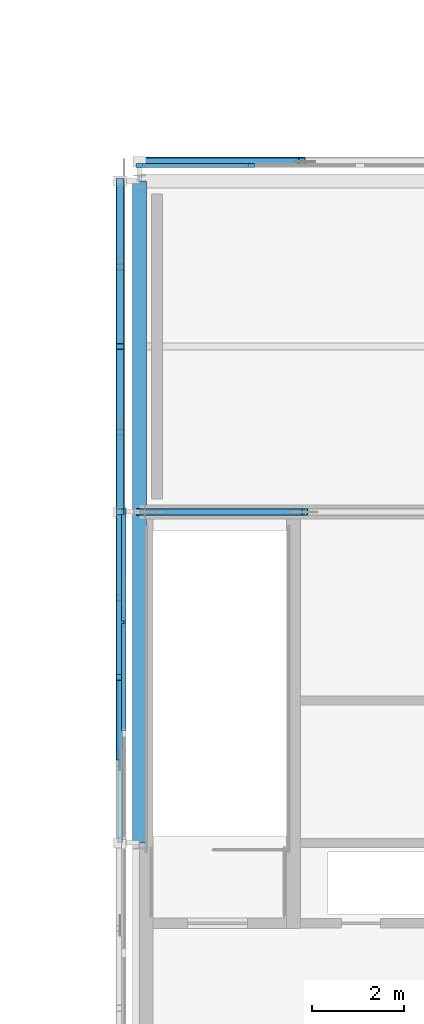
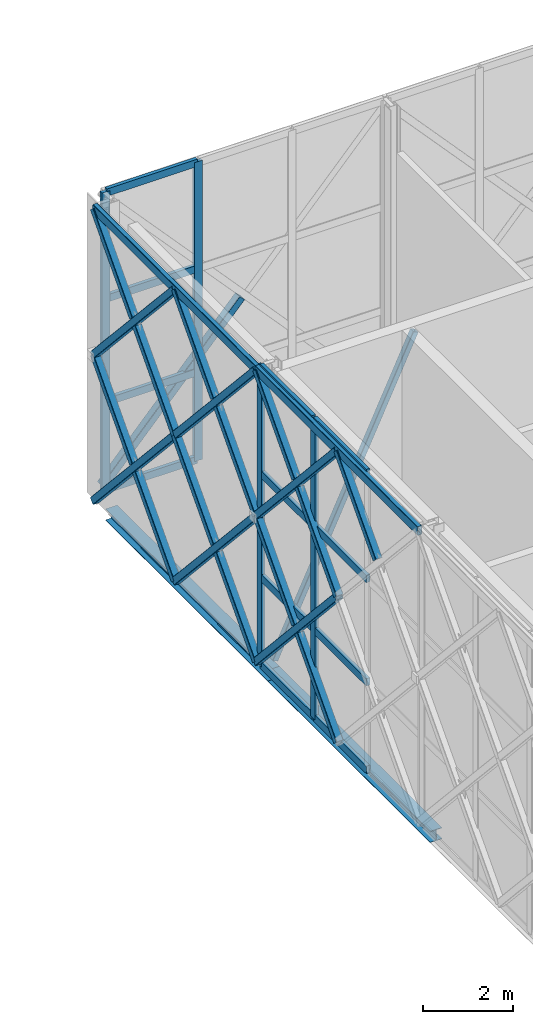
# One storey, part 9 of 76: 39 members, 2 beams, 2 elements without a shape of their own.
"""IFC4 building model written with IfcOpenShell, lengths in metres."""

import ifcopenshell
import ifcopenshell.guid

model = None  # the IFC model being written
_history = None  # IfcOwnerHistory: only IFC2X3 demands one
_inside = {}  # id of a spatial element -> (the spatial element, [elements in it])
_under = {}  # id of a project, library or spatial element -> (it, [spatial elements below it])
_declared = {}  # id of a project -> (the project, [libraries it declares])
_typed = {}  # id of a type object -> (the type object, [elements of that type])
_made_of = {}  # id of a material, layer set ... -> (it, [elements and type objects made of it])


def new_model(schema):
    """Start an empty IFC model of exactly this schema.

    Asked for "IFC4X3", IfcOpenShell would pick the latest addendum, in which some entities
    have other attributes; the version numbers below select the first issue.
    IFC2X3 requires an IfcOwnerHistory on every rooted entity: one is made here for all.
    """
    global model, _history
    if schema == "IFC4X3":
        model = ifcopenshell.file(schema_version=(4, 3, 0, 0))
    else:
        model = ifcopenshell.file(schema=schema)
    _inside.clear()
    _under.clear()
    _declared.clear()
    _typed.clear()
    _made_of.clear()
    _history = None
    if model.schema == "IFC2X3":
        org = make("IfcOrganization", Name="unknown")
        user = make(
            "IfcPersonAndOrganization",
            ThePerson=make("IfcPerson", FamilyName="unknown"),
            TheOrganization=org,
        )
        app = make(
            "IfcApplication",
            ApplicationDeveloper=org,
            Version="unknown",
            ApplicationFullName="unknown",
            ApplicationIdentifier="unknown",
        )
        _history = make(
            "IfcOwnerHistory",
            OwningUser=user,
            OwningApplication=app,
            ChangeAction="ADDED",
            CreationDate=0,
        )
    return model


def make(cls, **values):
    """One entity of the class cls with the attributes given. An attribute that is None is left unset."""
    return model.create_entity(
        cls, **{name: value for name, value in values.items() if value is not None}
    )


def rooted(cls, **values):
    """An entity with a GlobalId (a new one), such as an element, a storey or a relation."""
    return make(cls, GlobalId=ifcopenshell.guid.new(), OwnerHistory=_history, **values)


def si_unit(unit_type, name, prefix=None):
    """IfcSIUnit, for example si_unit("LENGTHUNIT", "METRE", prefix="MILLI")."""
    return make("IfcSIUnit", UnitType=unit_type, Prefix=prefix, Name=name)


def assignment(units):
    """IfcUnitAssignment: the units of a project."""
    return None if units is None else make("IfcUnitAssignment", Units=units)


def point(xyz):
    """IfcCartesianPoint."""
    return None if xyz is None else make("IfcCartesianPoint", Coordinates=xyz)


def direction(xyz):
    """IfcDirection."""
    return None if xyz is None else make("IfcDirection", DirectionRatios=xyz)


def frame(location, z_axis=None, x_axis=None):
    """IfcAxis2Placement3D, a coordinate frame: its origin and axes. An axis left out is left unset."""
    return make(
        "IfcAxis2Placement3D",
        Location=point(location),
        Axis=direction(z_axis),
        RefDirection=direction(x_axis),
    )


def frame_2d(location, x_axis=None):
    """IfcAxis2Placement2D, a coordinate frame in the plane: its origin and x axis."""
    return make(
        "IfcAxis2Placement2D", Location=point(location), RefDirection=direction(x_axis)
    )


def origin():
    """The frame at (0, 0, 0) with its axes left unset."""
    return frame((0.0, 0.0, 0.0))


def origin_2d():
    """The frame at (0, 0) in the plane with its x axis left unset."""
    return frame_2d((0.0, 0.0))


def place(relative_to, where):
    """IfcLocalPlacement: puts the frame where relative to a parent placement (None: the world)."""
    return make(
        "IfcLocalPlacement", PlacementRelTo=relative_to, RelativePlacement=where
    )


def context(
    kind, dimensions, precision=None, world=None, true_north=None, identifier=None
):
    """IfcGeometricRepresentationContext, for example the 3D "Model" context."""
    return make(
        "IfcGeometricRepresentationContext",
        ContextIdentifier=identifier,
        ContextType=kind,
        CoordinateSpaceDimension=dimensions,
        Precision=precision,
        WorldCoordinateSystem=world,
        TrueNorth=true_north,
    )


def subcontext(parent, identifier, kind, view, scale=None):
    """IfcGeometricRepresentationSubContext, for example "Body" below "Model"."""
    return make(
        "IfcGeometricRepresentationSubContext",
        ContextIdentifier=identifier,
        ContextType=kind,
        ParentContext=parent,
        TargetScale=scale,
        TargetView=view,
    )


def project(units=None, contexts=None):
    """IfcProject with its units and contexts."""
    return rooted(
        "IfcProject",
        Name="project",
        RepresentationContexts=contexts,
        UnitsInContext=assignment(units),
    )


def spatial(cls, under=None, at=None, **own):
    """A site, building, storey or space (cls), placed at a placement, below another one or the project."""
    s = rooted(cls, ObjectPlacement=at, **own)
    if under is not None:
        _under.setdefault(under.id(), (under, []))[1].append(s)
    return s


def profile(cls, at=None, kind="AREA", **sizes):
    """A parametric profile (cls). Its sizes go by their IFC names, for example OverallWidth=200.0."""
    return make(cls, ProfileType=kind, Position=at, **sizes)


def rectangle(**sizes):
    """IfcRectangleProfileDef."""
    return profile("IfcRectangleProfileDef", **sizes)


def hollow_rectangle(**sizes):
    """IfcRectangleHollowProfileDef."""
    return profile("IfcRectangleHollowProfileDef", **sizes)


def i_section(**sizes):
    """IfcIShapeProfileDef."""
    return profile("IfcIShapeProfileDef", **sizes)


def extrude(swept, where, along, depth):
    """IfcExtrudedAreaSolid: the profile swept, set in the frame where, extruded along a direction by depth."""
    return make(
        "IfcExtrudedAreaSolid",
        SweptArea=swept,
        Position=where,
        ExtrudedDirection=direction(along),
        Depth=depth,
    )


def shape(context_of_items, identifier, shape_type, items):
    """IfcShapeRepresentation: the items that make up one representation, for example the "Body"."""
    return make(
        "IfcShapeRepresentation",
        ContextOfItems=context_of_items,
        RepresentationIdentifier=identifier,
        RepresentationType=shape_type,
        Items=items,
    )


def material(Name=None, Category=None):
    """IfcMaterial."""
    return make("IfcMaterial", Name=Name, Category=Category)


def material_profile(
    of_material, cross_section, Name=None, Category=None, Priority=None
):
    """IfcMaterialProfile: a cross section and its material."""
    return make(
        "IfcMaterialProfile",
        Name=Name,
        Material=of_material,
        Profile=cross_section,
        Priority=Priority,
        Category=Category,
    )


def profile_set(profiles, Name=None, composite=None):
    """IfcMaterialProfileSet."""
    return make(
        "IfcMaterialProfileSet",
        Name=Name,
        MaterialProfiles=profiles,
        CompositeProfile=composite,
    )


def made_of(thing, what):
    """Note that an element or type object is made of a material, layer set ...; save() writes the relation."""
    if what is not None:
        _made_of.setdefault(what.id(), (what, []))[1].append(thing)
    return thing


def type_object(cls, material=None, **own):
    """A type object (cls), such as IfcWallType, which elements share."""
    return made_of(rooted(cls, **own), material)


def element(
    cls,
    number,
    at=None,
    inside=None,
    cuts=None,
    type_object=None,
    material=None,
    context=None,
    identifier="Body",
    shape_type=None,
    held_by="IfcProductDefinitionShape",
    body=None,
    shapes=None,
    **own,
):
    """One element of the class cls, such as IfcWall. Its Tag is "e" and its number.

    at: its placement. inside: the storey or other place that contains it. cuts: it is an
    opening in that element (IfcRelVoidsElement). A single representation is given by context,
    identifier, shape_type and body (its items); several are given by shapes. held_by: the class
    of the entity that holds the representations. save() writes the other relations.
    """
    e = rooted(cls, Tag="e%d" % number, ObjectPlacement=at, **own)
    if body is not None:
        shapes = [shape(context, identifier, shape_type, body)]
    if shapes is not None:
        e.Representation = make(held_by, Representations=shapes)
    if inside is not None:
        _inside.setdefault(inside.id(), (inside, []))[1].append(e)
    if cuts is not None:
        rooted(
            "IfcRelVoidsElement", RelatingBuildingElement=cuts, RelatedOpeningElement=e
        )
    if type_object is not None:
        _typed.setdefault(type_object.id(), (type_object, []))[1].append(e)
    return made_of(e, material)


def aggregate(whole, parts):
    """IfcRelAggregates: a whole, such as a stair, and the parts it consists of."""
    return rooted("IfcRelAggregates", RelatingObject=whole, RelatedObjects=parts)


def save(model, path):
    """Write the relations noted so far, then the file.

    IfcRelAggregates (storeys below a building ...), IfcRelContainedInSpatialStructure (elements
    in a storey), IfcRelDefinesByType, IfcRelAssociatesMaterial and IfcRelDeclares: one each for
    every whole, place, type object, material and project.
    """
    for whole, parts in _under.values():
        aggregate(whole, parts)
    for where, things in _inside.values():
        rooted(
            "IfcRelContainedInSpatialStructure",
            RelatedElements=things,
            RelatingStructure=where,
        )
    for kind, things in _typed.values():
        rooted("IfcRelDefinesByType", RelatedObjects=things, RelatingType=kind)
    for what, things in _made_of.values():
        rooted("IfcRelAssociatesMaterial", RelatedObjects=things, RelatingMaterial=what)
    for by, libraries in _declared.values():
        rooted("IfcRelDeclares", RelatingContext=by, RelatedDefinitions=libraries)
    model.write(path)


model = new_model("IFC4")

# Units and contexts
model_context = context("Model", 3, precision=1e-05, world=origin(), true_north=direction((0.0, 1.0)))
body_context = subcontext(model_context, "Body", "Model", "MODEL_VIEW")
ifc_project = project(units=[si_unit("LENGTHUNIT", "METRE"), si_unit("AREAUNIT", "SQUARE_METRE"), si_unit("VOLUMEUNIT", "CUBIC_METRE"), si_unit("PLANEANGLEUNIT", "RADIAN"), si_unit("MASSUNIT", "GRAM", prefix="KILO")], contexts=[model_context])

# Site, building, storey
site_placement = place(None, origin())
site = spatial("IfcSite", under=ifc_project, at=site_placement, CompositionType="ELEMENT")
building_placement = place(site_placement, origin())
building = spatial("IfcBuilding", under=site, at=building_placement, Name="Zlatovets Crest Museum", CompositionType="ELEMENT")
storey_placement = place(building_placement, frame((0.0, 0.0, 17.10009765625)))
storey = spatial("IfcBuildingStorey", under=building, at=storey_placement, Name="L04", CompositionType="ELEMENT", Elevation=17.10009765625)

# Beams
ifc_material_1 = material(Name="Structural steel S355J2", Category="steel")
ifc_material_profile_1 = material_profile(ifc_material_1, i_section(OverallWidth=0.300048828125, OverallDepth=0.31005859375, WebThickness=0.009033203125, FlangeThickness=0.015380859375, FilletRadius=0.027099609375, at=origin_2d()), Name="HEA 320")
ifc_profile_set_1 = profile_set([ifc_material_profile_1], Name="Structural steel S355J2")
beam_type = type_object("IfcBeamType", Name="Beam_B-04", PredefinedType="BEAM", material=ifc_profile_set_1)
beam_1_placement = place(storey_placement, frame((57.60009765625, 14.39990234375, -0.39501953125), z_axis=(0.0, 1.0, 0.0), x_axis=(-1.0, 0.0, 0.0)))
element("IfcBeam", 1, at=beam_1_placement, inside=storey, type_object=beam_type, Name="V2 L04 Grid Beam B-04", PredefinedType="BEAM", context=body_context, shape_type="SweptSolid", body=[
    extrude(i_section(OverallWidth=0.300048828125, OverallDepth=0.31005859375, WebThickness=0.009033203125, FlangeThickness=0.015380859375, FilletRadius=0.027099609375, at=origin_2d()), origin(), (0.0, 0.0, 1.0), 7.2001953125),
])
beam_2_placement = place(storey_placement, frame((57.60009765625, 21.60009765625, -0.39501953125), z_axis=(0.0, 1.0, 0.0), x_axis=(-1.0, 0.0, 0.0)))
element("IfcBeam", 2, at=beam_2_placement, inside=storey, type_object=beam_type, Name="V2 L04 Grid Beam B-04", PredefinedType="BEAM", context=body_context, shape_type="SweptSolid", body=[
    extrude(i_section(OverallWidth=0.300048828125, OverallDepth=0.31005859375, WebThickness=0.009033203125, FlangeThickness=0.015380859375, FilletRadius=0.027099609375, at=origin_2d()), origin(), (0.0, 0.0, 1.0), 7.199951171875),
])

# Curtain wall, members
ifc_material_2 = material(Name="Bronze-anodised aluminium and low-E triple glass", Category="aluminium")
curtain_wall_type_1 = type_object("IfcCurtainWallType", Name="CW_CW-V2-L04-M1", PredefinedType="NOTDEFINED", material=ifc_material_2)
curtain_wall_1_placement = place(storey_placement, origin())
curtain_wall_1 = element("IfcCurtainWall", 3, at=curtain_wall_1_placement, inside=storey, type_object=curtain_wall_type_1, Name="V2 L04 Secession Foyer Clear Curtain Wall", PredefinedType="NOTDEFINED")
ifc_material_3 = material(Name="Bronze-anodised aluminium EN AW-6060", Category="aluminium")
ifc_material_profile_2 = material_profile(ifc_material_3, rectangle(XDim=0.090087890625, YDim=0.199951171875, at=origin_2d()), Name="ALU 90x200")
ifc_profile_set_2 = profile_set([ifc_material_profile_2], Name="Bronze-anodised aluminium EN AW-6060")
member_type_1 = type_object("IfcMemberType", Name="CWMull_M2", PredefinedType="MULLION", material=ifc_profile_set_2)
member_1_placement = place(storey_placement, frame((60.0, 29.139892578125, 0.0), z_axis=(0.0, 0.0, 1.0), x_axis=(0.0, -1.0, 0.0)))
member_1 = element("IfcMember", 4, at=member_1_placement, type_object=member_type_1, Name="CW-V2-L04-M1 mullion 3", PredefinedType="MULLION", context=body_context, shape_type="SweptSolid", body=[
    extrude(rectangle(XDim=0.090087890625, YDim=0.199951171875, at=origin_2d()), origin(), (0.0, 0.0, 1.0), 8.099853515625),
])
member_2_placement = place(storey_placement, frame((57.6298828125, 29.139892578125, 0.0), z_axis=(0.0, 0.0, 1.0), x_axis=(0.0, -1.0, 0.0)))
member_2 = element("IfcMember", 5, at=member_2_placement, type_object=member_type_1, Name="CW-V2-L04-M1 mullion 4", PredefinedType="MULLION", context=body_context, shape_type="SweptSolid", body=[
    extrude(rectangle(XDim=0.090087890625, YDim=0.199951171875, at=origin_2d()), origin(), (0.0, 0.0, 1.0), 8.099853515625),
])

curtain_wall_type_2 = type_object("IfcCurtainWallType", Name="CW_CW-V2-L04-M3", PredefinedType="NOTDEFINED", material=ifc_material_2)
curtain_wall_2_placement = place(storey_placement, origin())
curtain_wall_2 = element("IfcCurtainWall", 6, at=curtain_wall_2_placement, inside=storey, type_object=curtain_wall_type_2, Name="V2 L04 Expressed Core Glazed Facade", PredefinedType="NOTDEFINED")
member_3_placement = place(storey_placement, frame((57.260009765625, 21.570068359375, 0.0), z_axis=(0.0, 0.0, 1.0), x_axis=(1.0, 0.0, 0.0)))
member_3 = element("IfcMember", 7, at=member_3_placement, type_object=member_type_1, Name="CW-V2-L04-M3 mullion 1", PredefinedType="MULLION", context=body_context, shape_type="SweptSolid", body=[
    extrude(rectangle(XDim=0.090087890625, YDim=0.199951171875, at=origin_2d()), origin(), (0.0, 0.0, 1.0), 8.099853515625),
])
member_4_placement = place(storey_placement, frame((57.260009765625, 19.199951171875, 0.0), z_axis=(0.0, 0.0, 1.0), x_axis=(1.0, 0.0, 0.0)))
member_4 = element("IfcMember", 8, at=member_4_placement, type_object=member_type_1, Name="CW-V2-L04-M3 mullion 2", PredefinedType="MULLION", context=body_context, shape_type="SweptSolid", body=[
    extrude(rectangle(XDim=0.090087890625, YDim=0.199951171875, at=origin_2d()), origin(), (0.0, 0.0, 1.0), 8.099853515625),
])

# Member
ifc_material_profile_3 = material_profile(ifc_material_3, rectangle(XDim=0.090087890625, YDim=0.199951171875, at=origin_2d()), Name="ALU 90x200")
ifc_profile_set_3 = profile_set([ifc_material_profile_3], Name="Bronze-anodised aluminium EN AW-6060")
member_type_2 = type_object("IfcMemberType", Name="CWTrans_T2", PredefinedType="USERDEFINED", material=ifc_profile_set_3)
member_5_placement = place(storey_placement, frame((59.969970703125, 29.139892578125, 0.02978515625), z_axis=(-1.0, 0.0, 0.0), x_axis=(0.0, -1.0, 0.0)))
member_5 = element("IfcMember", 9, at=member_5_placement, type_object=member_type_2, Name="CW-V2-L04-M1 transom 3.1", ObjectType="TRANSOM", PredefinedType="USERDEFINED", context=body_context, shape_type="SweptSolid", body=[
    extrude(rectangle(XDim=0.090087890625, YDim=0.199951171875, at=origin_2d()), origin(), (0.0, 0.0, 1.0), 2.31005859375),
])

member_6_placement = place(storey_placement, frame((59.969970703125, 29.139892578125, 2.39990234375), z_axis=(-1.0, 0.0, 0.0), x_axis=(0.0, -1.0, 0.0)))
member_6 = element("IfcMember", 10, at=member_6_placement, type_object=member_type_2, Name="CW-V2-L04-M1 transom 3.2", ObjectType="TRANSOM", PredefinedType="USERDEFINED", context=body_context, shape_type="SweptSolid", body=[
    extrude(rectangle(XDim=0.090087890625, YDim=0.199951171875, at=origin_2d()), origin(), (0.0, 0.0, 1.0), 2.31005859375),
])

member_7_placement = place(storey_placement, frame((59.969970703125, 29.139892578125, 5.199951171875), z_axis=(-1.0, 0.0, 0.0), x_axis=(0.0, -1.0, 0.0)))
member_7 = element("IfcMember", 11, at=member_7_placement, type_object=member_type_2, Name="CW-V2-L04-M1 transom 3.3", ObjectType="TRANSOM", PredefinedType="USERDEFINED", context=body_context, shape_type="SweptSolid", body=[
    extrude(rectangle(XDim=0.090087890625, YDim=0.199951171875, at=origin_2d()), origin(), (0.0, 0.0, 1.0), 2.31005859375),
])

member_8_placement = place(storey_placement, frame((59.969970703125, 29.139892578125, 8.06982421875), z_axis=(-1.0, 0.0, 0.0), x_axis=(0.0, -1.0, 0.0)))
member_8 = element("IfcMember", 12, at=member_8_placement, type_object=member_type_2, Name="CW-V2-L04-M1 transom 3.4", ObjectType="TRANSOM", PredefinedType="USERDEFINED", context=body_context, shape_type="SweptSolid", body=[
    extrude(rectangle(XDim=0.090087890625, YDim=0.199951171875, at=origin_2d()), origin(), (0.0, 0.0, 1.0), 2.31005859375),
])

aggregate(curtain_wall_1, [member_1, member_2, member_5, member_6, member_7, member_8])

member_9_placement = place(storey_placement, frame((57.260009765625, 21.5400390625, 0.02978515625), z_axis=(0.0, -1.0, 0.0), x_axis=(1.0, 0.0, 0.0)))
member_9 = element("IfcMember", 13, at=member_9_placement, type_object=member_type_2, Name="CW-V2-L04-M3 transom 1.1", ObjectType="TRANSOM", PredefinedType="USERDEFINED", context=body_context, shape_type="SweptSolid", body=[
    extrude(rectangle(XDim=0.090087890625, YDim=0.199951171875, at=origin_2d()), origin(), (0.0, 0.0, 1.0), 2.31005859375),
])

member_10_placement = place(storey_placement, frame((57.260009765625, 21.5400390625, 2.39990234375), z_axis=(0.0, -1.0, 0.0), x_axis=(1.0, 0.0, 0.0)))
member_10 = element("IfcMember", 14, at=member_10_placement, type_object=member_type_2, Name="CW-V2-L04-M3 transom 1.2", ObjectType="TRANSOM", PredefinedType="USERDEFINED", context=body_context, shape_type="SweptSolid", body=[
    extrude(rectangle(XDim=0.090087890625, YDim=0.199951171875, at=origin_2d()), origin(), (0.0, 0.0, 1.0), 2.31005859375),
])

member_11_placement = place(storey_placement, frame((57.260009765625, 21.5400390625, 5.199951171875), z_axis=(0.0, -1.0, 0.0), x_axis=(1.0, 0.0, 0.0)))
member_11 = element("IfcMember", 15, at=member_11_placement, type_object=member_type_2, Name="CW-V2-L04-M3 transom 1.3", ObjectType="TRANSOM", PredefinedType="USERDEFINED", context=body_context, shape_type="SweptSolid", body=[
    extrude(rectangle(XDim=0.090087890625, YDim=0.199951171875, at=origin_2d()), origin(), (0.0, 0.0, 1.0), 2.31005859375),
])

member_12_placement = place(storey_placement, frame((57.260009765625, 21.5400390625, 8.06982421875), z_axis=(0.0, -1.0, 0.0), x_axis=(1.0, 0.0, 0.0)))
member_12 = element("IfcMember", 16, at=member_12_placement, type_object=member_type_2, Name="CW-V2-L04-M3 transom 1.4", ObjectType="TRANSOM", PredefinedType="USERDEFINED", context=body_context, shape_type="SweptSolid", body=[
    extrude(rectangle(XDim=0.090087890625, YDim=0.199951171875, at=origin_2d()), origin(), (0.0, 0.0, 1.0), 2.31005859375),
])

member_13_placement = place(storey_placement, frame((57.260009765625, 19.169921875, 0.02978515625), z_axis=(0.0, -1.0, 0.0), x_axis=(1.0, 0.0, 0.0)))
member_13 = element("IfcMember", 17, at=member_13_placement, type_object=member_type_2, Name="CW-V2-L04-M3 transom 2.1", ObjectType="TRANSOM", PredefinedType="USERDEFINED", context=body_context, shape_type="SweptSolid", body=[
    extrude(rectangle(XDim=0.090087890625, YDim=0.199951171875, at=origin_2d()), origin(), (0.0, 0.0, 1.0), 2.33984375),
])

member_14_placement = place(storey_placement, frame((57.260009765625, 19.169921875, 2.39990234375), z_axis=(0.0, -1.0, 0.0), x_axis=(1.0, 0.0, 0.0)))
member_14 = element("IfcMember", 18, at=member_14_placement, type_object=member_type_2, Name="CW-V2-L04-M3 transom 2.2", ObjectType="TRANSOM", PredefinedType="USERDEFINED", context=body_context, shape_type="SweptSolid", body=[
    extrude(rectangle(XDim=0.090087890625, YDim=0.199951171875, at=origin_2d()), origin(), (0.0, 0.0, 1.0), 2.33984375),
])

member_15_placement = place(storey_placement, frame((57.260009765625, 19.169921875, 5.199951171875), z_axis=(0.0, -1.0, 0.0), x_axis=(1.0, 0.0, 0.0)))
member_15 = element("IfcMember", 19, at=member_15_placement, type_object=member_type_2, Name="CW-V2-L04-M3 transom 2.3", ObjectType="TRANSOM", PredefinedType="USERDEFINED", context=body_context, shape_type="SweptSolid", body=[
    extrude(rectangle(XDim=0.090087890625, YDim=0.199951171875, at=origin_2d()), origin(), (0.0, 0.0, 1.0), 2.33984375),
])

member_16_placement = place(storey_placement, frame((57.260009765625, 19.169921875, 8.06982421875), z_axis=(0.0, -1.0, 0.0), x_axis=(1.0, 0.0, 0.0)))
member_16 = element("IfcMember", 20, at=member_16_placement, type_object=member_type_2, Name="CW-V2-L04-M3 transom 2.4", ObjectType="TRANSOM", PredefinedType="USERDEFINED", context=body_context, shape_type="SweptSolid", body=[
    extrude(rectangle(XDim=0.090087890625, YDim=0.199951171875, at=origin_2d()), origin(), (0.0, 0.0, 1.0), 2.33984375),
])

aggregate(curtain_wall_2, [member_3, member_4, member_9, member_10, member_11, member_12, member_13, member_14, member_15, member_16])

# Members
ifc_material_4 = material(Name="Weathering bronze-steel S355J2W", Category="steel")
ifc_material_profile_4 = material_profile(ifc_material_4, hollow_rectangle(XDim=0.179931640625, YDim=0.179931640625, WallThickness=0.010009765625, InnerFilletRadius=0.010009765625, OuterFilletRadius=0.02001953125, at=origin_2d()), Name="SHS 180x180x10.0")
ifc_profile_set_4 = profile_set([ifc_material_profile_4], Name="Weathering bronze-steel S355J2W")
member_type_3 = type_object("IfcMemberType", Name="Lattice_XL-01", PredefinedType="BRACE", material=ifc_profile_set_4)
member_17_placement = place(storey_placement, frame((57.179931640625, 28.800048828125, 0.099853515625), z_axis=(0.0, -0.673618118362, 0.739079583411), x_axis=(1.0, 0.0, 0.0)))
element("IfcMember", 21, at=member_17_placement, inside=storey, type_object=member_type_3, Name="Continuous Bronze Lattice Diagonal", PredefinedType="BRACE", context=body_context, shape_type="SweptSolid", body=[
    extrude(hollow_rectangle(XDim=0.179931640625, YDim=0.179931640625, WallThickness=0.010009765625, InnerFilletRadius=0.010009765625, OuterFilletRadius=0.02001953125, at=origin_2d()), origin(), (0.0, 0.0, 1.0), 5.344482421875),
])
for number, where, z_axis, x_axis, name in (
    (22, (57.179931640625, 28.800048828125, 4.0498046875), (0.0, -0.673619963761, -0.739077901457), (1.0, 0.0, 0.0), "Split Crossing Bronze Lattice Diagonal Upper"),
    (23, (57.179931640625, 26.93603515625, 2.004638671875), (0.0, -0.673619963761, -0.739077901457), (1.0, 0.0, 0.0), "Split Crossing Bronze Lattice Diagonal Lower"),
):
    element("IfcMember", number, at=place(storey_placement, frame(where, z_axis=z_axis, x_axis=x_axis)), inside=storey, type_object=member_type_3, Name=name, PredefinedType="BRACE", context=body_context, shape_type="SweptSolid", body=[
        extrude(hollow_rectangle(XDim=0.179931640625, YDim=0.179931640625, WallThickness=0.010009765625, InnerFilletRadius=0.010009765625, OuterFilletRadius=0.02001953125, at=origin_2d()), origin(), (0.0, 0.0, 1.0), 2.5771484375),
    ])
member_18_placement = place(storey_placement, frame((57.179931640625, 25.199951171875, 0.099853515625), z_axis=(0.0, -0.673593164257, 0.739102326519), x_axis=(1.0, 0.0, 0.0)))
element("IfcMember", 24, at=member_18_placement, inside=storey, type_object=member_type_3, Name="Continuous Bronze Lattice Diagonal", PredefinedType="BRACE", context=body_context, shape_type="SweptSolid", body=[
    extrude(hollow_rectangle(XDim=0.179931640625, YDim=0.179931640625, WallThickness=0.010009765625, InnerFilletRadius=0.010009765625, OuterFilletRadius=0.02001953125, at=origin_2d()), origin(), (0.0, 0.0, 1.0), 5.34423828125),
])
for number, where, z_axis, x_axis, name in (
    (25, (57.179931640625, 25.199951171875, 4.0498046875), (0.0, -0.673568214247, -0.739125064354), (1.0, 0.0, 0.0), "Split Crossing Bronze Lattice Diagonal Upper"),
    (26, (57.179931640625, 23.3359375, 2.004638671875), (0.0, -0.673568214247, -0.739125064354), (1.0, 0.0, 0.0), "Split Crossing Bronze Lattice Diagonal Lower"),
):
    element("IfcMember", number, at=place(storey_placement, frame(where, z_axis=z_axis, x_axis=x_axis)), inside=storey, type_object=member_type_3, Name=name, PredefinedType="BRACE", context=body_context, shape_type="SweptSolid", body=[
        extrude(hollow_rectangle(XDim=0.179931640625, YDim=0.179931640625, WallThickness=0.010009765625, InnerFilletRadius=0.010009765625, OuterFilletRadius=0.02001953125, at=origin_2d()), origin(), (0.0, 0.0, 1.0), 2.5771484375),
    ])
member_19_placement = place(storey_placement, frame((57.179931640625, 28.800048828125, 4.0498046875), z_axis=(0.0, -0.673595375981, 0.739100310822), x_axis=(1.0, 0.0, 0.0)))
element("IfcMember", 27, at=member_19_placement, inside=storey, type_object=member_type_3, Name="Continuous Bronze Lattice Diagonal", PredefinedType="BRACE", context=body_context, shape_type="SweptSolid", body=[
    extrude(hollow_rectangle(XDim=0.179931640625, YDim=0.179931640625, WallThickness=0.010009765625, InnerFilletRadius=0.010009765625, OuterFilletRadius=0.02001953125, at=origin_2d()), origin(), (0.0, 0.0, 1.0), 5.344482421875),
])
for number, where, z_axis, x_axis, name in (
    (28, (57.179931640625, 28.800048828125, 8.0), (0.0, -0.673619963761, -0.739077901457), (1.0, 0.0, 0.0), "Split Crossing Bronze Lattice Diagonal Upper"),
    (29, (57.179931640625, 26.93603515625, 5.95458984375), (0.0, -0.673619963761, -0.739077901457), (1.0, 0.0, 0.0), "Split Crossing Bronze Lattice Diagonal Lower"),
):
    element("IfcMember", number, at=place(storey_placement, frame(where, z_axis=z_axis, x_axis=x_axis)), inside=storey, type_object=member_type_3, Name=name, PredefinedType="BRACE", context=body_context, shape_type="SweptSolid", body=[
        extrude(hollow_rectangle(XDim=0.179931640625, YDim=0.179931640625, WallThickness=0.010009765625, InnerFilletRadius=0.010009765625, OuterFilletRadius=0.02001953125, at=origin_2d()), origin(), (0.0, 0.0, 1.0), 2.5771484375),
    ])
member_20_placement = place(storey_placement, frame((57.179931640625, 25.199951171875, 4.0498046875), z_axis=(0.0, -0.67357042132, 0.739123053032), x_axis=(1.0, 0.0, 0.0)))
element("IfcMember", 30, at=member_20_placement, inside=storey, type_object=member_type_3, Name="Continuous Bronze Lattice Diagonal", PredefinedType="BRACE", context=body_context, shape_type="SweptSolid", body=[
    extrude(hollow_rectangle(XDim=0.179931640625, YDim=0.179931640625, WallThickness=0.010009765625, InnerFilletRadius=0.010009765625, OuterFilletRadius=0.02001953125, at=origin_2d()), origin(), (0.0, 0.0, 1.0), 5.344482421875),
])
for number, where, z_axis, x_axis, name in (
    (31, (57.179931640625, 25.199951171875, 8.0), (0.0, -0.673568214247, -0.739125064354), (1.0, 0.0, 0.0), "Split Crossing Bronze Lattice Diagonal Upper"),
    (32, (57.179931640625, 23.3359375, 5.95458984375), (0.0, -0.673568214247, -0.739125064354), (1.0, 0.0, 0.0), "Split Crossing Bronze Lattice Diagonal Lower"),
):
    element("IfcMember", number, at=place(storey_placement, frame(where, z_axis=z_axis, x_axis=x_axis)), inside=storey, type_object=member_type_3, Name=name, PredefinedType="BRACE", context=body_context, shape_type="SweptSolid", body=[
        extrude(hollow_rectangle(XDim=0.179931640625, YDim=0.179931640625, WallThickness=0.010009765625, InnerFilletRadius=0.010009765625, OuterFilletRadius=0.02001953125, at=origin_2d()), origin(), (0.0, 0.0, 1.0), 2.5771484375),
    ])
member_21_placement = place(storey_placement, frame((57.179931640625, 21.60009765625, 0.099853515625), z_axis=(0.0, -0.673618118362, 0.739079583411), x_axis=(1.0, 0.0, 0.0)))
element("IfcMember", 33, at=member_21_placement, inside=storey, type_object=member_type_3, Name="Continuous Bronze Lattice Diagonal", PredefinedType="BRACE", context=body_context, shape_type="SweptSolid", body=[
    extrude(hollow_rectangle(XDim=0.179931640625, YDim=0.179931640625, WallThickness=0.010009765625, InnerFilletRadius=0.010009765625, OuterFilletRadius=0.02001953125, at=origin_2d()), origin(), (0.0, 0.0, 1.0), 5.344482421875),
])
for number, where, z_axis, x_axis, name in (
    (34, (57.179931640625, 21.60009765625, 4.0498046875), (0.0, -0.673619963761, -0.739077901457), (1.0, 0.0, 0.0), "Split Crossing Bronze Lattice Diagonal Upper"),
    (35, (57.179931640625, 19.736083984375, 2.004638671875), (0.0, -0.673619963761, -0.739077901457), (1.0, 0.0, 0.0), "Split Crossing Bronze Lattice Diagonal Lower"),
):
    element("IfcMember", number, at=place(storey_placement, frame(where, z_axis=z_axis, x_axis=x_axis)), inside=storey, type_object=member_type_3, Name=name, PredefinedType="BRACE", context=body_context, shape_type="SweptSolid", body=[
        extrude(hollow_rectangle(XDim=0.179931640625, YDim=0.179931640625, WallThickness=0.010009765625, InnerFilletRadius=0.010009765625, OuterFilletRadius=0.02001953125, at=origin_2d()), origin(), (0.0, 0.0, 1.0), 2.5771484375),
    ])
member_22_placement = place(storey_placement, frame((57.179931640625, 21.60009765625, 4.0498046875), z_axis=(0.0, -0.673595375981, 0.739100310822), x_axis=(1.0, 0.0, 0.0)))
element("IfcMember", 36, at=member_22_placement, inside=storey, type_object=member_type_3, Name="Continuous Bronze Lattice Diagonal", PredefinedType="BRACE", context=body_context, shape_type="SweptSolid", body=[
    extrude(hollow_rectangle(XDim=0.179931640625, YDim=0.179931640625, WallThickness=0.010009765625, InnerFilletRadius=0.010009765625, OuterFilletRadius=0.02001953125, at=origin_2d()), origin(), (0.0, 0.0, 1.0), 5.344482421875),
])
for number, where, z_axis, x_axis, name in (
    (37, (57.179931640625, 21.60009765625, 8.0), (0.0, -0.673619963761, -0.739077901457), (1.0, 0.0, 0.0), "Split Crossing Bronze Lattice Diagonal Upper"),
    (38, (57.179931640625, 19.736083984375, 5.95458984375), (0.0, -0.673619963761, -0.739077901457), (1.0, 0.0, 0.0), "Split Crossing Bronze Lattice Diagonal Lower"),
    (39, (57.179931640625, 18.0, 8.0), (0.0, -0.673619963761, -0.739077901457), (1.0, 0.0, 0.0), "Split Crossing Bronze Lattice Diagonal Upper"),
):
    element("IfcMember", number, at=place(storey_placement, frame(where, z_axis=z_axis, x_axis=x_axis)), inside=storey, type_object=member_type_3, Name=name, PredefinedType="BRACE", context=body_context, shape_type="SweptSolid", body=[
        extrude(hollow_rectangle(XDim=0.179931640625, YDim=0.179931640625, WallThickness=0.010009765625, InnerFilletRadius=0.010009765625, OuterFilletRadius=0.02001953125, at=origin_2d()), origin(), (0.0, 0.0, 1.0), 2.5771484375),
    ])
ifc_material_profile_5 = material_profile(ifc_material_4, hollow_rectangle(XDim=0.199951171875, YDim=0.199951171875, WallThickness=0.012451171875, InnerFilletRadius=0.012451171875, OuterFilletRadius=0.02490234375, at=origin_2d()), Name="SHS 200x200x12.5")
ifc_profile_set_5 = profile_set([ifc_material_profile_5], Name="Weathering bronze-steel S355J2W")
member_type_4 = type_object("IfcMemberType", Name="Lattice_XL-02", PredefinedType="BRACE", material=ifc_profile_set_5)
member_23_placement = place(storey_placement, frame((61.135986328125, 29.219970703125, 3.979736328125), z_axis=(-0.673582041572, 0.0, -0.73911246321), x_axis=(0.0, -1.0, 0.0)))
element("IfcMember", 40, at=member_23_placement, inside=storey, type_object=member_type_4, Name="Split Crossing Bronze Lattice Diagonal Lower", PredefinedType="BRACE", context=body_context, shape_type="SweptSolid", body=[
    extrude(hollow_rectangle(XDim=0.199951171875, YDim=0.199951171875, WallThickness=0.012451171875, InnerFilletRadius=0.012451171875, OuterFilletRadius=0.02490234375, at=origin_2d()), origin(), (0.0, 0.0, 1.0), 5.249267578125),
])
ifc_material_profile_6 = material_profile(ifc_material_4, hollow_rectangle(XDim=0.1201171875, YDim=0.239990234375, WallThickness=0.010009765625, InnerFilletRadius=0.010009765625, OuterFilletRadius=0.02001953125, at=origin_2d()), Name="RHS 120x240x10.0")
ifc_profile_set_6 = profile_set([ifc_material_profile_6], Name="Weathering bronze-steel S355J2W")
member_type_5 = type_object("IfcMemberType", Name="Lattice_XL-04", PredefinedType="CHORD", material=ifc_profile_set_6)
member_24_placement = place(storey_placement, frame((57.179931640625, 28.800048828125, 8.0), z_axis=(0.0, -1.0, 0.0), x_axis=(1.0, 0.0, 0.0)))
element("IfcMember", 41, at=member_24_placement, inside=storey, type_object=member_type_5, Name="Art Nouveau Woven Cage Collector Ring Chord", PredefinedType="CHORD", context=body_context, shape_type="SweptSolid", body=[
    extrude(hollow_rectangle(XDim=0.1201171875, YDim=0.239990234375, WallThickness=0.010009765625, InnerFilletRadius=0.010009765625, OuterFilletRadius=0.02001953125, at=origin_2d()), origin(), (0.0, 0.0, 1.0), 7.199951171875),
])
member_25_placement = place(storey_placement, frame((57.179931640625, 21.60009765625, 8.0), z_axis=(0.0, -1.0, 0.0), x_axis=(1.0, 0.0, 0.0)))
element("IfcMember", 42, at=member_25_placement, inside=storey, type_object=member_type_5, Name="Art Nouveau Woven Cage Collector Ring Chord", PredefinedType="CHORD", context=body_context, shape_type="SweptSolid", body=[
    extrude(hollow_rectangle(XDim=0.1201171875, YDim=0.239990234375, WallThickness=0.010009765625, InnerFilletRadius=0.010009765625, OuterFilletRadius=0.02001953125, at=origin_2d()), origin(), (0.0, 0.0, 1.0), 7.2001953125),
])
ifc_material_profile_7 = material_profile(ifc_material_1, hollow_rectangle(XDim=0.14990234375, YDim=0.14990234375, WallThickness=0.008056640625, InnerFilletRadius=0.008056640625, OuterFilletRadius=0.01611328125, at=origin_2d()), Name="SHS 150x150x8.0")
ifc_profile_set_7 = profile_set([ifc_material_profile_7], Name="Structural steel S355J2")
member_type_6 = type_object("IfcMemberType", Name="Member_BR-04", PredefinedType="BRACE", material=ifc_profile_set_7)
member_26_placement = place(storey_placement, frame((57.60009765625, 21.60009765625, 0.0), z_axis=(0.425787301659, 0.0, 0.904823283159), x_axis=(0.0, 1.0, 0.0)))
element("IfcMember", 43, at=member_26_placement, inside=storey, type_object=member_type_6, Name="V2 L04 Concentric Seismic Brace", PredefinedType="BRACE", context=body_context, shape_type="SweptSolid", body=[
    extrude(hollow_rectangle(XDim=0.14990234375, YDim=0.14990234375, WallThickness=0.008056640625, InnerFilletRadius=0.008056640625, OuterFilletRadius=0.01611328125, at=origin_2d()), origin(), (0.0, 0.0, 1.0), 8.45458984375),
])

save(model, "model.ifc")
